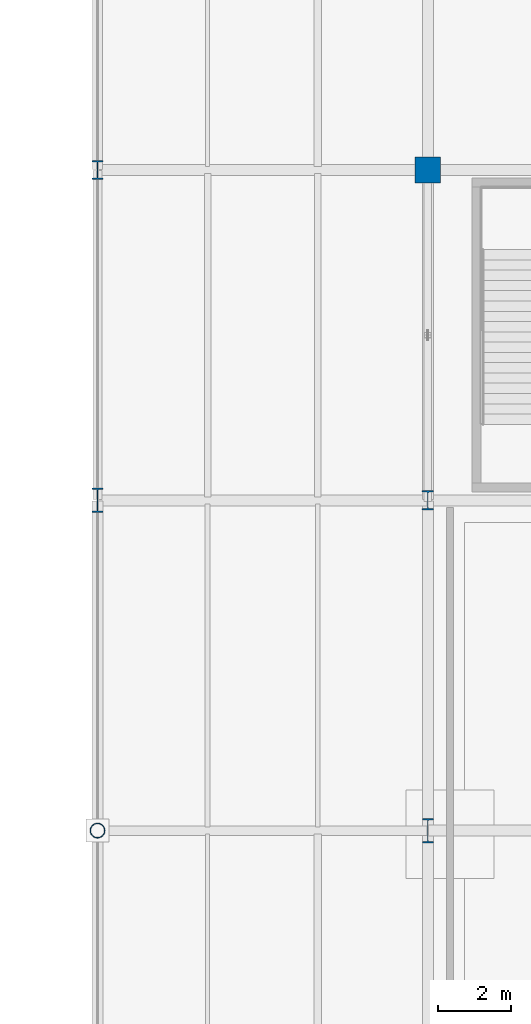
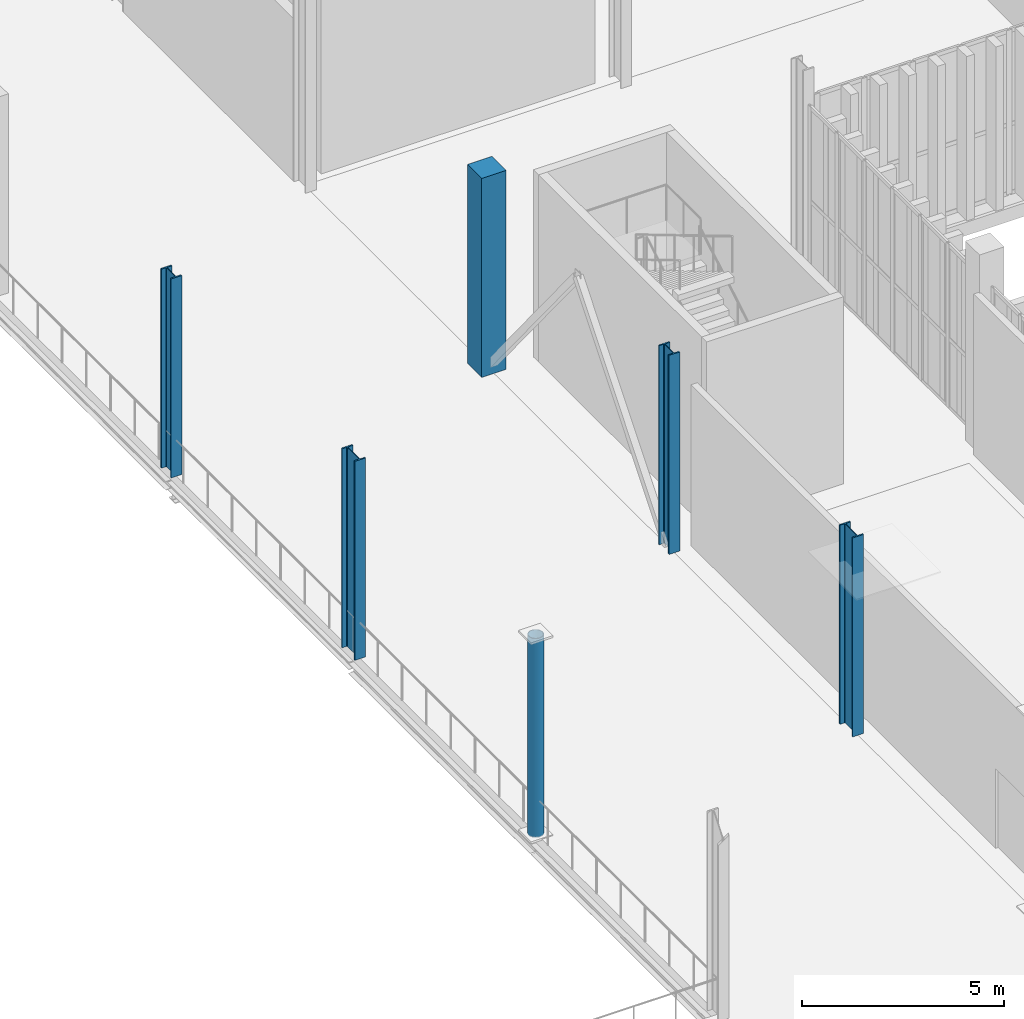
# One storey, part 10 of 211: 6 columns.
"""IFC4 building model written with IfcOpenShell, lengths in metres."""

from ifc_helpers import new_model, si_unit, direction, frame, origin, origin_2d, place, context, subcontext, project, spatial, rectangle, hollow_circle, i_section, extrude, material, material_profile, profile_set, type_object, element, save


model = new_model("IFC4")

# Units and contexts
model_context = context("Model", 3, precision=1e-05, world=origin(), true_north=direction((0.0, 1.0)))
body_context = subcontext(model_context, "Body", "Model", "MODEL_VIEW")
ifc_project = project(units=[si_unit("LENGTHUNIT", "METRE"), si_unit("AREAUNIT", "SQUARE_METRE"), si_unit("VOLUMEUNIT", "CUBIC_METRE"), si_unit("PLANEANGLEUNIT", "RADIAN"), si_unit("MASSUNIT", "GRAM", prefix="KILO")], contexts=[model_context])

# Site, building, storey
site_placement = place(None, origin())
site = spatial("IfcSite", under=ifc_project, at=site_placement, CompositionType="ELEMENT")
building_placement = place(site_placement, origin())
building = spatial("IfcBuilding", under=site, at=building_placement, Name="Barlavento Convention Centre", CompositionType="ELEMENT")
storey_placement = place(building_placement, frame((0.0, 0.0, 6.0)))
storey = spatial("IfcBuildingStorey", under=building, at=storey_placement, Name="L01", CompositionType="ELEMENT", Elevation=6.0)

# Columns
ifc_material_1 = material(Name="Steel S355", Category="steel")
ifc_material_profile_1 = material_profile(ifc_material_1, hollow_circle(Radius=0.203125, WallThickness=0.01611328125, at=origin_2d()), Name="CHS 406.4x16.0")
ifc_profile_set_1 = profile_set([ifc_material_profile_1], Name="Steel S355")
column_type_1 = type_object("IfcColumnType", Name="STR-COL-CHS406", PredefinedType="COLUMN", material=ifc_profile_set_1)
column_1_placement = place(storey_placement, frame((117.0, 72.0, 0.0), z_axis=(0.0, 0.0, 1.0), x_axis=(1.0, 0.0, 0.0)))
element("IfcColumn", 1, at=column_1_placement, inside=storey, type_object=column_type_1, Name="L01 column SC14", PredefinedType="COLUMN", context=body_context, shape_type="SweptSolid", body=[
    extrude(hollow_circle(Radius=0.203125, WallThickness=0.01611328125, at=origin_2d()), origin(), (0.0, 0.0, 1.0), 6.0),
])
ifc_material_profile_2 = material_profile(ifc_material_1, i_section(OverallWidth=0.305908203125, OverallDepth=0.52392578125, WebThickness=0.02099609375, FlangeThickness=0.0400390625, FilletRadius=0.027099609375, at=origin_2d()), Name="HEM 500")
ifc_profile_set_2 = profile_set([ifc_material_profile_2], Name="Steel S355")
column_type_2 = type_object("IfcColumnType", Name="STR-COL-HEM500", PredefinedType="COLUMN", material=ifc_profile_set_2)
for number, where, z_axis, x_axis, name in (
    (2, (117.0, 90.0, 0.0), (0.0, 0.0, 1.0), (1.0, 0.0, 0.0), "L01 column SC07"),
    (3, (126.0, 81.0, 0.0), (0.0, 0.0, 1.0), (1.0, 0.0, 0.0), "L01 column SC07"),
):
    element("IfcColumn", number, at=place(storey_placement, frame(where, z_axis=z_axis, x_axis=x_axis)), inside=storey, type_object=column_type_2, Name=name, PredefinedType="COLUMN", context=body_context, shape_type="SweptSolid", body=[
        extrude(i_section(OverallWidth=0.305908203125, OverallDepth=0.52392578125, WebThickness=0.02099609375, FlangeThickness=0.0400390625, FilletRadius=0.027099609375, at=origin_2d()), origin(), (0.0, 0.0, 1.0), 6.0),
    ])
ifc_material_2 = material(Name="Steel S460", Category="steel")
ifc_material_profile_3 = material_profile(ifc_material_2, i_section(OverallWidth=0.304931640625, OverallDepth=0.66796875, WebThickness=0.02099609375, FlangeThickness=0.0400390625, FilletRadius=0.027099609375, at=origin_2d()), Name="HEM 650")
ifc_profile_set_3 = profile_set([ifc_material_profile_3], Name="Steel S460")
column_type_3 = type_object("IfcColumnType", Name="STR-COL-HEM650", PredefinedType="COLUMN", material=ifc_profile_set_3)
for number, where, z_axis, x_axis, name in (
    (4, (117.0, 81.0, 0.0), (0.0, 0.0, 1.0), (1.0, 0.0, 0.0), "L01 column SC04"),
    (5, (126.0, 72.0, 0.0), (0.0, 0.0, 1.0), (1.0, 0.0, 0.0), "L01 column SC04"),
):
    element("IfcColumn", number, at=place(storey_placement, frame(where, z_axis=z_axis, x_axis=x_axis)), inside=storey, type_object=column_type_3, Name=name, PredefinedType="COLUMN", context=body_context, shape_type="SweptSolid", body=[
        extrude(i_section(OverallWidth=0.304931640625, OverallDepth=0.66796875, WebThickness=0.02099609375, FlangeThickness=0.0400390625, FilletRadius=0.027099609375, at=origin_2d()), origin(), (0.0, 0.0, 1.0), 6.0),
    ])
ifc_material_3 = material(Name="Concrete C40/50", Category="concrete")
ifc_material_profile_4 = material_profile(ifc_material_3, rectangle(XDim=0.699951171875, YDim=0.699951171875, at=origin_2d()), Name="RC 700x700")
ifc_profile_set_4 = profile_set([ifc_material_profile_4], Name="Concrete C40/50")
column_type_4 = type_object("IfcColumnType", Name="STR-COL-RC700", PredefinedType="COLUMN", material=ifc_profile_set_4)
column_2_placement = place(storey_placement, frame((126.0, 90.0, 0.0), z_axis=(0.0, 0.0, 1.0), x_axis=(1.0, 0.0, 0.0)))
element("IfcColumn", 6, at=column_2_placement, inside=storey, type_object=column_type_4, Name="L01 column CC06", PredefinedType="COLUMN", context=body_context, shape_type="SweptSolid", body=[
    extrude(rectangle(XDim=0.699951171875, YDim=0.699951171875, at=origin_2d()), origin(), (0.0, 0.0, 1.0), 6.0),
])

save(model, "model.ifc")
